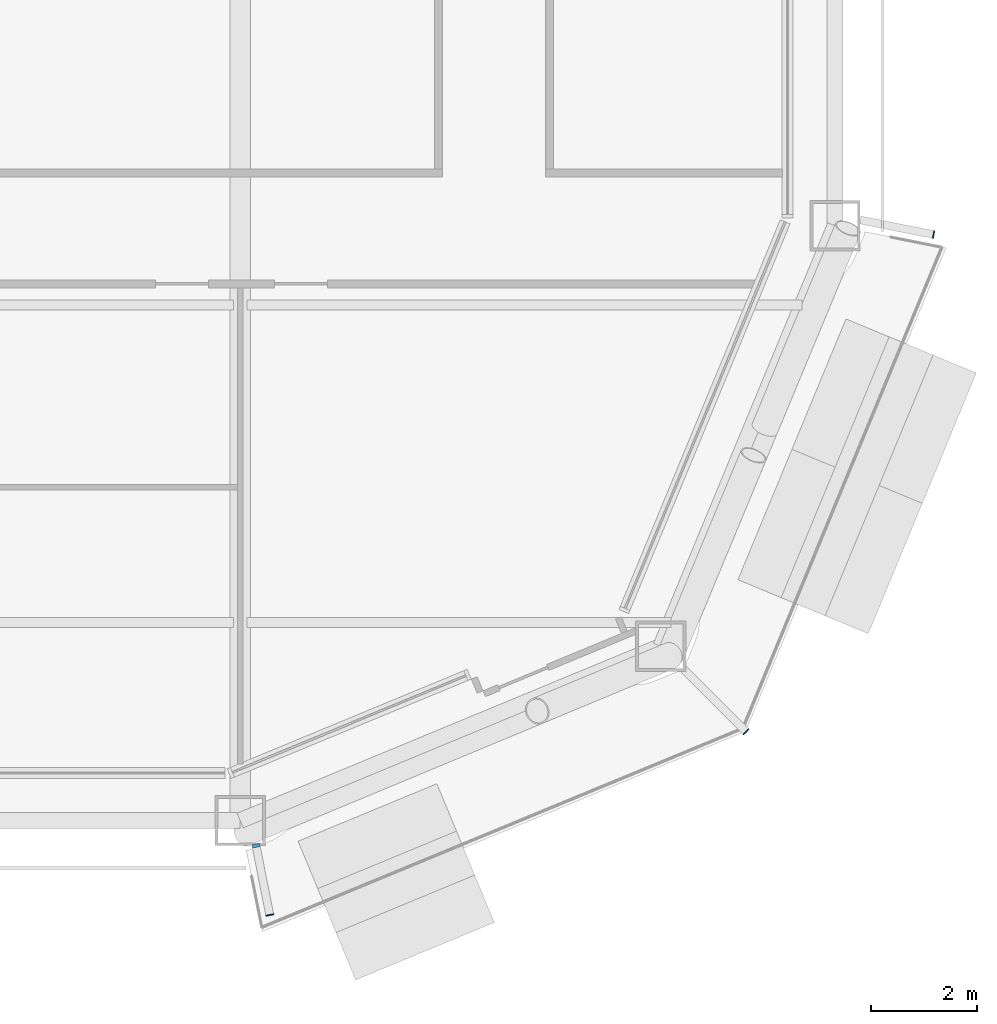
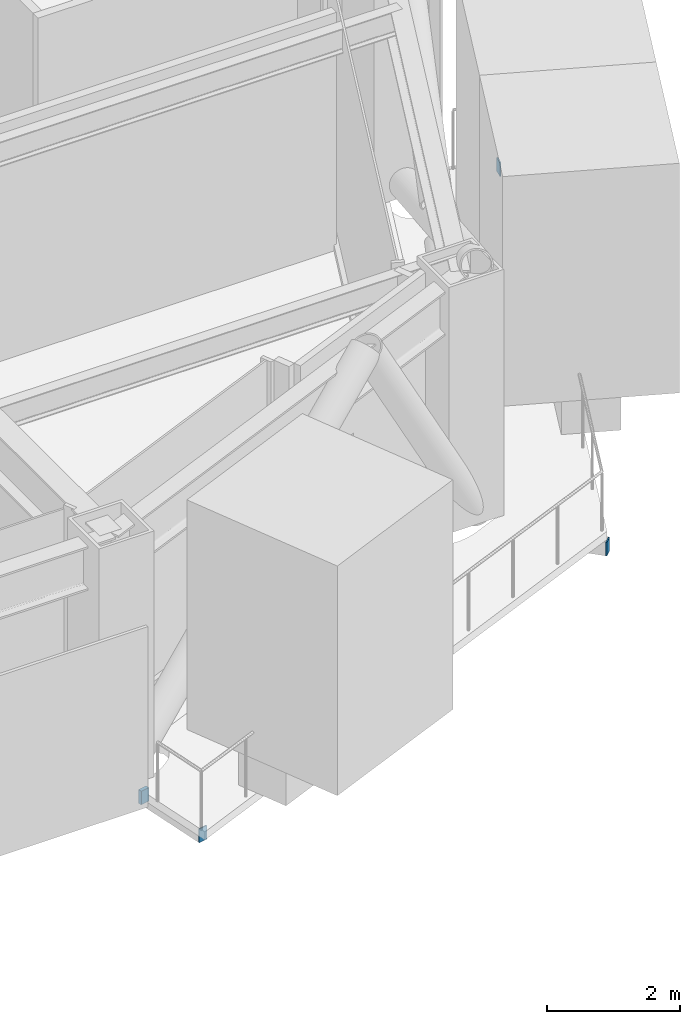
# One storey, part 16 of 23: 4 discrete accessories.
"""IFC4 building model written with IfcOpenShell, lengths in metres."""

from ifc_helpers import new_model, si_unit, direction, frame, origin, origin_2d, place, context, subcontext, project, spatial, rectangle, extrude, material, layer, layer_set, type_object, element, save


model = new_model("IFC4")

# Units and contexts
model_context = context("Model", 3, precision=1e-05, world=origin(), true_north=direction((0.0, 1.0)))
body_context = subcontext(model_context, "Body", "Model", "MODEL_VIEW")
ifc_project = project(units=[si_unit("LENGTHUNIT", "METRE"), si_unit("AREAUNIT", "SQUARE_METRE"), si_unit("VOLUMEUNIT", "CUBIC_METRE"), si_unit("PLANEANGLEUNIT", "RADIAN"), si_unit("MASSUNIT", "GRAM", prefix="KILO")], contexts=[model_context])

# Site, building, storey
site_placement = place(None, origin())
site = spatial("IfcSite", under=ifc_project, at=site_placement, CompositionType="ELEMENT")
building_placement = place(site_placement, origin())
building = spatial("IfcBuilding", under=site, at=building_placement, Name="Siwar Civic Tower", CompositionType="ELEMENT")
storey_placement = place(building_placement, frame((0.0, 0.0, 109.199951171875)))
storey = spatial("IfcBuildingStorey", under=building, at=storey_placement, Name="L23", CompositionType="ELEMENT", Elevation=109.199951171875)

# Discrete accessories
ifc_material_1 = material(Name="Stainless steel 316", Category="steel")
discrete_accessory_type_1 = type_object("IfcDiscreteAccessoryType", Name="ENV-BRACKET", PredefinedType="BRACKET", material=ifc_material_1)
discrete_accessory_placement = place(storey_placement, frame((18.29833984375, -29.72509765625, -0.39990234375), z_axis=(0.0, 0.0, 1.0), x_axis=(0.195090322016, -0.980785280403, 0.0)))
element("IfcDiscreteAccessory", 1, at=discrete_accessory_placement, inside=storey, type_object=discrete_accessory_type_1, Name="Bracket balcony cantilever beam SE 1", PredefinedType="BRACKET", context=body_context, shape_type="SweptSolid", body=[
    extrude(rectangle(XDim=0.06005859375, YDim=0.14990234375, at=origin_2d()), origin(), (0.0, 0.0, 1.0), 0.25),
])
ifc_material_2 = material(Name="Steel S355", Category="steel")
ifc_layer = layer(ifc_material_2, 0.02001953125)
ifc_layer_set = layer_set([ifc_layer], Name="Steel S355")
discrete_accessory_type_2 = type_object("IfcDiscreteAccessoryType", Name="STR-END-CAP", PredefinedType="USERDEFINED", material=ifc_layer_set)
for number, where, z_axis, x_axis, name in (
    (2, (18.559326171875, -31.036376953125, -0.39990234375), (0.0, 0.0, 1.0), (0.195090322204, -0.980785280366, 0.0), "End cap plate Balcony cantilever beam SE 1"),
    (3, (27.5693359375, -27.5693359375, -0.39990234375), (0.0, 0.0, 1.0), (0.707106781187, -0.707106781187, 0.0), "End cap plate Balcony cantilever beam SE 2"),
    (4, (31.114501953125, -18.1669921875, -0.39990234375), (0.0, 0.0, 1.0), (0.980785280424, -0.195090321913, 0.0), "End cap plate Balcony cantilever beam SE 3"),
):
    element("IfcDiscreteAccessory", number, at=place(storey_placement, frame(where, z_axis=z_axis, x_axis=x_axis)), inside=storey, type_object=discrete_accessory_type_2, Name=name, ObjectType="END CAP PLATE", PredefinedType="USERDEFINED", context=body_context, shape_type="SweptSolid", body=[
        extrude(rectangle(XDim=0.02001953125, YDim=0.14990234375, at=origin_2d()), origin(), (0.0, 0.0, 1.0), 0.25),
    ])

save(model, "model.ifc")
